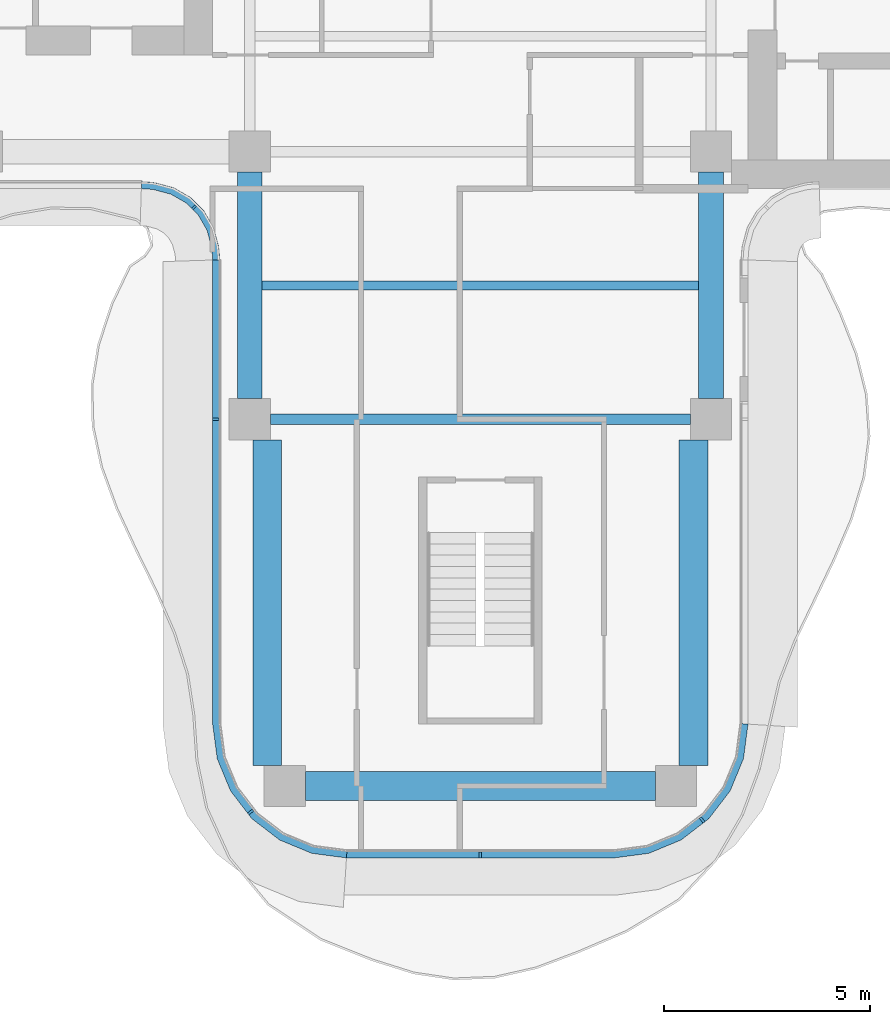
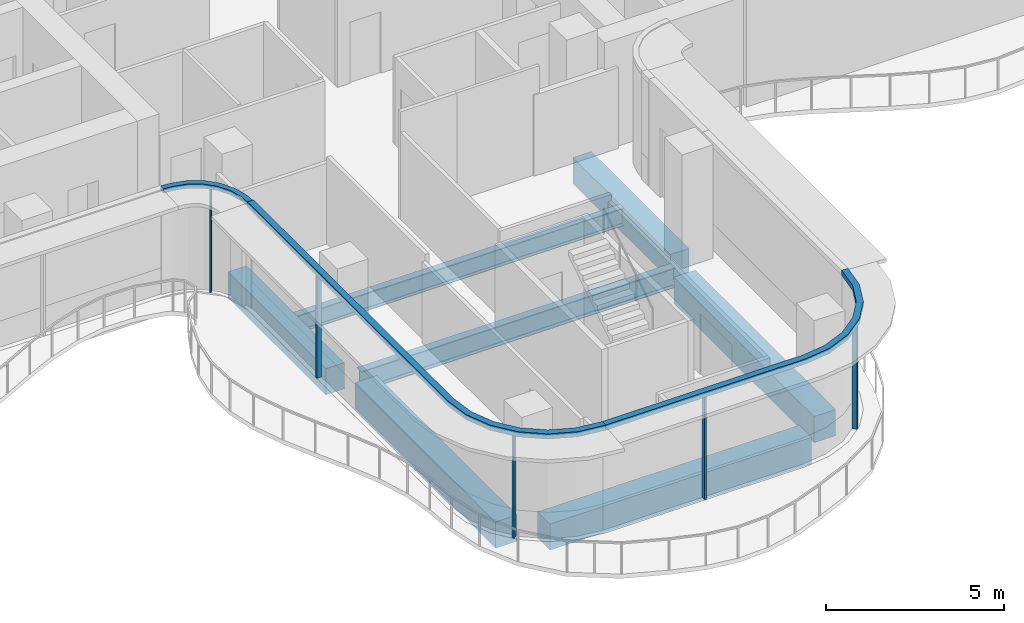
# One storey, part 2 of 16: 8 members, 7 beams, 3 elements without a shape of their own.
"""IFC4 building model written with IfcOpenShell, lengths in metres."""

import ifcopenshell
import ifcopenshell.guid

model = None  # the IFC model being written
_history = None  # IfcOwnerHistory: only IFC2X3 demands one
_inside = {}  # id of a spatial element -> (the spatial element, [elements in it])
_under = {}  # id of a project, library or spatial element -> (it, [spatial elements below it])
_declared = {}  # id of a project -> (the project, [libraries it declares])
_typed = {}  # id of a type object -> (the type object, [elements of that type])
_made_of = {}  # id of a material, layer set ... -> (it, [elements and type objects made of it])


def new_model(schema):
    """Start an empty IFC model of exactly this schema.

    Asked for "IFC4X3", IfcOpenShell would pick the latest addendum, in which some entities
    have other attributes; the version numbers below select the first issue.
    IFC2X3 requires an IfcOwnerHistory on every rooted entity: one is made here for all.
    """
    global model, _history
    if schema == "IFC4X3":
        model = ifcopenshell.file(schema_version=(4, 3, 0, 0))
    else:
        model = ifcopenshell.file(schema=schema)
    _inside.clear()
    _under.clear()
    _declared.clear()
    _typed.clear()
    _made_of.clear()
    _history = None
    if model.schema == "IFC2X3":
        org = make("IfcOrganization", Name="unknown")
        user = make(
            "IfcPersonAndOrganization",
            ThePerson=make("IfcPerson", FamilyName="unknown"),
            TheOrganization=org,
        )
        app = make(
            "IfcApplication",
            ApplicationDeveloper=org,
            Version="unknown",
            ApplicationFullName="unknown",
            ApplicationIdentifier="unknown",
        )
        _history = make(
            "IfcOwnerHistory",
            OwningUser=user,
            OwningApplication=app,
            ChangeAction="ADDED",
            CreationDate=0,
        )
    return model


def make(cls, **values):
    """One entity of the class cls with the attributes given. An attribute that is None is left unset."""
    return model.create_entity(
        cls, **{name: value for name, value in values.items() if value is not None}
    )


def rooted(cls, **values):
    """An entity with a GlobalId (a new one), such as an element, a storey or a relation."""
    return make(cls, GlobalId=ifcopenshell.guid.new(), OwnerHistory=_history, **values)


def si_unit(unit_type, name, prefix=None):
    """IfcSIUnit, for example si_unit("LENGTHUNIT", "METRE", prefix="MILLI")."""
    return make("IfcSIUnit", UnitType=unit_type, Prefix=prefix, Name=name)


def assignment(units):
    """IfcUnitAssignment: the units of a project."""
    return None if units is None else make("IfcUnitAssignment", Units=units)


def point(xyz):
    """IfcCartesianPoint."""
    return None if xyz is None else make("IfcCartesianPoint", Coordinates=xyz)


def direction(xyz):
    """IfcDirection."""
    return None if xyz is None else make("IfcDirection", DirectionRatios=xyz)


def frame(location, z_axis=None, x_axis=None):
    """IfcAxis2Placement3D, a coordinate frame: its origin and axes. An axis left out is left unset."""
    return make(
        "IfcAxis2Placement3D",
        Location=point(location),
        Axis=direction(z_axis),
        RefDirection=direction(x_axis),
    )


def frame_2d(location, x_axis=None):
    """IfcAxis2Placement2D, a coordinate frame in the plane: its origin and x axis."""
    return make(
        "IfcAxis2Placement2D", Location=point(location), RefDirection=direction(x_axis)
    )


def origin():
    """The frame at (0, 0, 0) with its axes left unset."""
    return frame((0.0, 0.0, 0.0))


def origin_2d():
    """The frame at (0, 0) in the plane with its x axis left unset."""
    return frame_2d((0.0, 0.0))


def place(relative_to, where):
    """IfcLocalPlacement: puts the frame where relative to a parent placement (None: the world)."""
    return make(
        "IfcLocalPlacement", PlacementRelTo=relative_to, RelativePlacement=where
    )


def context(
    kind, dimensions, precision=None, world=None, true_north=None, identifier=None
):
    """IfcGeometricRepresentationContext, for example the 3D "Model" context."""
    return make(
        "IfcGeometricRepresentationContext",
        ContextIdentifier=identifier,
        ContextType=kind,
        CoordinateSpaceDimension=dimensions,
        Precision=precision,
        WorldCoordinateSystem=world,
        TrueNorth=true_north,
    )


def subcontext(parent, identifier, kind, view, scale=None):
    """IfcGeometricRepresentationSubContext, for example "Body" below "Model"."""
    return make(
        "IfcGeometricRepresentationSubContext",
        ContextIdentifier=identifier,
        ContextType=kind,
        ParentContext=parent,
        TargetScale=scale,
        TargetView=view,
    )


def project(units=None, contexts=None):
    """IfcProject with its units and contexts."""
    return rooted(
        "IfcProject",
        Name="project",
        RepresentationContexts=contexts,
        UnitsInContext=assignment(units),
    )


def spatial(cls, under=None, at=None, **own):
    """A site, building, storey or space (cls), placed at a placement, below another one or the project."""
    s = rooted(cls, ObjectPlacement=at, **own)
    if under is not None:
        _under.setdefault(under.id(), (under, []))[1].append(s)
    return s


def polyline(points):
    """IfcPolyline through the points."""
    return make("IfcPolyline", Points=[point(p) for p in points])


def profile(cls, at=None, kind="AREA", **sizes):
    """A parametric profile (cls). Its sizes go by their IFC names, for example OverallWidth=200.0."""
    return make(cls, ProfileType=kind, Position=at, **sizes)


def rectangle(**sizes):
    """IfcRectangleProfileDef."""
    return profile("IfcRectangleProfileDef", **sizes)


def i_section(**sizes):
    """IfcIShapeProfileDef."""
    return profile("IfcIShapeProfileDef", **sizes)


def outline(outer, holes=None, kind="AREA"):
    """IfcArbitraryClosedProfileDef: a profile drawn as a closed curve; with holes, ...WithVoids."""
    if holes is None:
        return make("IfcArbitraryClosedProfileDef", ProfileType=kind, OuterCurve=outer)
    return make(
        "IfcArbitraryProfileDefWithVoids",
        ProfileType=kind,
        OuterCurve=outer,
        InnerCurves=holes,
    )


def extrude(swept, where, along, depth):
    """IfcExtrudedAreaSolid: the profile swept, set in the frame where, extruded along a direction by depth."""
    return make(
        "IfcExtrudedAreaSolid",
        SweptArea=swept,
        Position=where,
        ExtrudedDirection=direction(along),
        Depth=depth,
    )


def shape(context_of_items, identifier, shape_type, items):
    """IfcShapeRepresentation: the items that make up one representation, for example the "Body"."""
    return make(
        "IfcShapeRepresentation",
        ContextOfItems=context_of_items,
        RepresentationIdentifier=identifier,
        RepresentationType=shape_type,
        Items=items,
    )


def source(mapping_origin, context_of_items, identifier, shape_type, items):
    """IfcRepresentationMap: a shape defined once, which mapped items show again and again."""
    return make(
        "IfcRepresentationMap",
        MappingOrigin=mapping_origin,
        MappedRepresentation=shape(context_of_items, identifier, shape_type, items),
    )


def transform(
    local_origin,
    x_axis=None,
    y_axis=None,
    z_axis=None,
    scale=None,
    scale2=None,
    scale3=None,
    uniform=True,
):
    """IfcCartesianTransformationOperator3D, or its non-uniform kind. x_axis, y_axis, z_axis: its Axis1, 2, 3."""
    if uniform:
        return make(
            "IfcCartesianTransformationOperator3D",
            Axis1=direction(x_axis),
            Axis2=direction(y_axis),
            LocalOrigin=point(local_origin),
            Scale=scale,
            Axis3=direction(z_axis),
        )
    return make(
        "IfcCartesianTransformationOperator3DnonUniform",
        Axis1=direction(x_axis),
        Axis2=direction(y_axis),
        LocalOrigin=point(local_origin),
        Scale=scale,
        Axis3=direction(z_axis),
        Scale2=scale2,
        Scale3=scale3,
    )


def mapped(mapping_source, mapping_target):
    """IfcMappedItem: shows the shape of a source again, moved by a transform."""
    return make(
        "IfcMappedItem", MappingSource=mapping_source, MappingTarget=mapping_target
    )


def material(Name=None, Category=None):
    """IfcMaterial."""
    return make("IfcMaterial", Name=Name, Category=Category)


def layer(
    of_material, thickness, ventilated=None, Name=None, Category=None, Priority=None
):
    """IfcMaterialLayer: one layer of a wall or slab, of a material (None: an air gap)."""
    return make(
        "IfcMaterialLayer",
        Material=of_material,
        LayerThickness=thickness,
        IsVentilated=ventilated,
        Name=Name,
        Category=Category,
        Priority=Priority,
    )


def layer_set(layers, Name=None):
    """IfcMaterialLayerSet."""
    return make("IfcMaterialLayerSet", MaterialLayers=layers, LayerSetName=Name)


def material_profile(
    of_material, cross_section, Name=None, Category=None, Priority=None
):
    """IfcMaterialProfile: a cross section and its material."""
    return make(
        "IfcMaterialProfile",
        Name=Name,
        Material=of_material,
        Profile=cross_section,
        Priority=Priority,
        Category=Category,
    )


def profile_set(profiles, Name=None, composite=None):
    """IfcMaterialProfileSet."""
    return make(
        "IfcMaterialProfileSet",
        Name=Name,
        MaterialProfiles=profiles,
        CompositeProfile=composite,
    )


def made_of(thing, what):
    """Note that an element or type object is made of a material, layer set ...; save() writes the relation."""
    if what is not None:
        _made_of.setdefault(what.id(), (what, []))[1].append(thing)
    return thing


def type_object(cls, material=None, **own):
    """A type object (cls), such as IfcWallType, which elements share."""
    return made_of(rooted(cls, **own), material)


def element(
    cls,
    number,
    at=None,
    inside=None,
    cuts=None,
    type_object=None,
    material=None,
    context=None,
    identifier="Body",
    shape_type=None,
    held_by="IfcProductDefinitionShape",
    body=None,
    shapes=None,
    **own,
):
    """One element of the class cls, such as IfcWall. Its Tag is "e" and its number.

    at: its placement. inside: the storey or other place that contains it. cuts: it is an
    opening in that element (IfcRelVoidsElement). A single representation is given by context,
    identifier, shape_type and body (its items); several are given by shapes. held_by: the class
    of the entity that holds the representations. save() writes the other relations.
    """
    e = rooted(cls, Tag="e%d" % number, ObjectPlacement=at, **own)
    if body is not None:
        shapes = [shape(context, identifier, shape_type, body)]
    if shapes is not None:
        e.Representation = make(held_by, Representations=shapes)
    if inside is not None:
        _inside.setdefault(inside.id(), (inside, []))[1].append(e)
    if cuts is not None:
        rooted(
            "IfcRelVoidsElement", RelatingBuildingElement=cuts, RelatedOpeningElement=e
        )
    if type_object is not None:
        _typed.setdefault(type_object.id(), (type_object, []))[1].append(e)
    return made_of(e, material)


def aggregate(whole, parts):
    """IfcRelAggregates: a whole, such as a stair, and the parts it consists of."""
    return rooted("IfcRelAggregates", RelatingObject=whole, RelatedObjects=parts)


def save(model, path):
    """Write the relations noted so far, then the file.

    IfcRelAggregates (storeys below a building ...), IfcRelContainedInSpatialStructure (elements
    in a storey), IfcRelDefinesByType, IfcRelAssociatesMaterial and IfcRelDeclares: one each for
    every whole, place, type object, material and project.
    """
    for whole, parts in _under.values():
        aggregate(whole, parts)
    for where, things in _inside.values():
        rooted(
            "IfcRelContainedInSpatialStructure",
            RelatedElements=things,
            RelatingStructure=where,
        )
    for kind, things in _typed.values():
        rooted("IfcRelDefinesByType", RelatedObjects=things, RelatingType=kind)
    for what, things in _made_of.values():
        rooted("IfcRelAssociatesMaterial", RelatedObjects=things, RelatingMaterial=what)
    for by, libraries in _declared.values():
        rooted("IfcRelDeclares", RelatingContext=by, RelatedDefinitions=libraries)
    model.write(path)


model = new_model("IFC4")

# Units and contexts
model_context = context("Model", 3, precision=1e-05, world=origin(), true_north=direction((0.0, 1.0)))
body_context = subcontext(model_context, "Body", "Model", "MODEL_VIEW")
ifc_project = project(units=[si_unit("LENGTHUNIT", "METRE"), si_unit("AREAUNIT", "SQUARE_METRE"), si_unit("VOLUMEUNIT", "CUBIC_METRE"), si_unit("PLANEANGLEUNIT", "RADIAN"), si_unit("MASSUNIT", "GRAM", prefix="KILO")], contexts=[model_context])

# Site, building, storey
site_placement = place(None, origin())
site = spatial("IfcSite", under=ifc_project, at=site_placement, CompositionType="ELEMENT")
building_placement = place(site_placement, origin())
building = spatial("IfcBuilding", under=site, at=building_placement, Name="Trellis Farm Tower", CompositionType="ELEMENT")
storey_placement = place(building_placement, frame((0.0, 0.0, 314.5)))
storey = spatial("IfcBuildingStorey", under=building, at=storey_placement, Name="L71", CompositionType="ELEMENT", Elevation=314.5)

# Beams
ifc_material_1 = material(Name="Steel S355", Category="steel")
ifc_material_profile_1 = material_profile(ifc_material_1, i_section(OverallWidth=0.22900390625, OverallDepth=0.6123046875, WebThickness=0.011962890625, FlangeThickness=0.01953125, FilletRadius=0.0126953125, at=origin_2d()), Name="UB 610x229x125")
ifc_profile_set_1 = profile_set([ifc_material_profile_1], Name="Steel S355")
beam_type_1 = type_object("IfcBeamType", Name="UB 610x229x125 joist", PredefinedType="JOIST", material=ifc_profile_set_1)
shared_shape_1 = source(origin(), body_context, "Body", "SweptSolid", [
    extrude(i_section(OverallWidth=0.22900390625, OverallDepth=0.6123046875, WebThickness=0.011962890625, FlangeThickness=0.01953125, FilletRadius=0.0126953125, at=origin_2d()), origin(), (0.0, 0.0, 1.0), 10.60009765625),
])
beam_1_placement = place(storey_placement, frame((-5.300048828125, -8.85009765625, -0.506103515625), z_axis=(1.0, 0.0, 0.0), x_axis=(0.0, 1.0, 0.0)))
element("IfcBeam", 1, at=beam_1_placement, inside=storey, type_object=beam_type_1, Name="Floor beam", PredefinedType="JOIST", context=body_context, shape_type="MappedRepresentation", body=[
    mapped(shared_shape_1, transform((0.0, 0.0, 0.0))),
])
ifc_material_profile_2 = material_profile(ifc_material_1, i_section(OverallWidth=0.253662109375, OverallDepth=0.68359375, WebThickness=0.012451171875, FlangeThickness=0.021728515625, FilletRadius=0.01513671875, at=origin_2d()), Name="UB 686x254x140")
ifc_profile_set_2 = profile_set([ifc_material_profile_2], Name="Steel S355")
beam_type_2 = type_object("IfcBeamType", Name="UB 686x254x140", PredefinedType="BEAM", material=ifc_profile_set_2)
shared_shape_2 = source(origin(), body_context, "Body", "SweptSolid", [
    extrude(i_section(OverallWidth=0.253662109375, OverallDepth=0.68359375, WebThickness=0.012451171875, FlangeThickness=0.021728515625, FilletRadius=0.01513671875, at=origin_2d()), origin(), (0.0, 0.0, 1.0), 10.2001953125),
])
beam_2_placement = place(storey_placement, frame((-5.10009765625, -12.10009765625, -0.541748046875), z_axis=(1.0, 0.0, 0.0), x_axis=(0.0, 1.0, 0.0)))
element("IfcBeam", 2, at=beam_2_placement, inside=storey, type_object=beam_type_2, Name="Girder", PredefinedType="BEAM", context=body_context, shape_type="MappedRepresentation", body=[
    mapped(shared_shape_2, transform((0.0, 0.0, 0.0))),
])
ifc_material_2 = material(Name="Concrete C60/75", Category="concrete")
ifc_material_profile_3 = material_profile(ifc_material_2, rectangle(XDim=0.60009765625, YDim=0.89990234375, at=origin_2d()), Name="RC spandrel beam 600x900 C60/75")
ifc_profile_set_3 = profile_set([ifc_material_profile_3], Name="Concrete C60/75")
beam_type_3 = type_object("IfcBeamType", Name="RC spandrel beam 600x900 C60/75", PredefinedType="SPANDREL", material=ifc_profile_set_3)
shared_shape_3 = source(origin(), body_context, "Body", "SweptSolid", [
    extrude(rectangle(XDim=0.60009765625, YDim=0.89990234375, at=origin_2d()), origin(), (0.0, 0.0, 1.0), 5.5),
])
for number, where, z_axis, x_axis, name in (
    (3, (-5.60009765625, -11.60009765625, -0.64990234375), (0.0, 1.0, 0.0), (-1.0, 0.0, 0.0), "Girder"),
    (4, (5.60009765625, -11.60009765625, -0.64990234375), (0.0, 1.0, 0.0), (-1.0, 0.0, 0.0), "Girder"),
):
    element("IfcBeam", number, at=place(storey_placement, frame(where, z_axis=z_axis, x_axis=x_axis)), inside=storey, type_object=beam_type_3, Name=name, PredefinedType="SPANDREL", context=body_context, shape_type="MappedRepresentation", body=[
        mapped(shared_shape_3, transform((0.0, 0.0, 0.0))),
    ])
ifc_material_profile_4 = material_profile(ifc_material_2, rectangle(XDim=0.699951171875, YDim=0.89990234375, at=origin_2d()), Name="RC spandrel beam 700x900 C60/75")
ifc_profile_set_4 = profile_set([ifc_material_profile_4], Name="Concrete C60/75")
beam_type_4 = type_object("IfcBeamType", Name="RC spandrel beam 700x900 C60/75", PredefinedType="SPANDREL", material=ifc_profile_set_4)
shared_shape_4 = source(origin(), body_context, "Body", "SweptSolid", [
    extrude(rectangle(XDim=0.699951171875, YDim=0.89990234375, at=origin_2d()), origin(), (0.0, 0.0, 1.0), 8.5),
])
beam_3_placement = place(storey_placement, frame((-4.25, -21.0, -0.64990234375), z_axis=(1.0, 0.0, 0.0), x_axis=(0.0, 1.0, 0.0)))
element("IfcBeam", 5, at=beam_3_placement, inside=storey, type_object=beam_type_4, Name="Girder", PredefinedType="SPANDREL", context=body_context, shape_type="MappedRepresentation", body=[
    mapped(shared_shape_4, transform((0.0, 0.0, 0.0))),
])
shared_shape_5 = source(origin(), body_context, "Body", "SweptSolid", [
    extrude(rectangle(XDim=0.699951171875, YDim=0.89990234375, at=origin_2d()), origin(), (0.0, 0.0, 1.0), 7.89990234375),
])
for number, where, z_axis, x_axis, name in (
    (6, (-5.175048828125, -20.5, -0.64990234375), (0.0, 1.0, 0.0), (-1.0, 0.0, 0.0), "Girder"),
    (7, (5.175048828125, -20.5, -0.64990234375), (0.0, 1.0, 0.0), (-1.0, 0.0, 0.0), "Girder"),
):
    element("IfcBeam", number, at=place(storey_placement, frame(where, z_axis=z_axis, x_axis=x_axis)), inside=storey, type_object=beam_type_4, Name=name, PredefinedType="SPANDREL", context=body_context, shape_type="MappedRepresentation", body=[
        mapped(shared_shape_5, transform((0.0, 0.0, 0.0))),
    ])

# Curtain wall, member
ifc_material_3 = material(Name="Aluminium and glass curtain wall", Category="aluminium")
ifc_layer_1 = layer(ifc_material_3, 0.166015625)
ifc_layer_set_1 = layer_set([ifc_layer_1], Name="WINTER GARDEN CURTAIN WALL CW3")
curtain_wall_type_1 = type_object("IfcCurtainWallType", Name="WINTER GARDEN CURTAIN WALL CW3", PredefinedType="NOTDEFINED", material=ifc_layer_set_1)
placement_1 = place(storey_placement, origin())
curtain_wall_1 = element("IfcCurtainWall", 8, at=placement_1, inside=storey, type_object=curtain_wall_type_1, Name="CW3 001", PredefinedType="NOTDEFINED")
ifc_material_4 = material(Name="Aluminium extrusion 6063-T6", Category="aluminium")
ifc_layer_2 = layer(ifc_material_4, 0.169921875)
ifc_layer_set_2 = layer_set([ifc_layer_2], Name="Aluminium extrusion 6063-T6")
member_type_1 = type_object("IfcMemberType", Name="CW3 TRANSOM 170x150", PredefinedType="USERDEFINED", material=ifc_layer_set_2)
shared_shape_6 = source(origin(), body_context, "Body", "SweptSolid", [
    extrude(outline(polyline([(-8.2314453125, -6.5), (-8.01953125, -6.513916015625), (-7.91552734375, -6.527587890625), (-7.508544921875, -6.63671875), (-7.144287109375, -6.846923828125), (-6.846923828125, -7.144287109375), (-6.63671875, -7.508544921875), (-6.527587890625, -7.91552734375), (-6.513916015625, -8.01953125), (-6.5, -8.2314453125), (-6.330078125, -8.225830078125), (-6.3447265625, -8.0029296875), (-6.360595703125, -7.88232421875), (-6.478271484375, -7.44287109375), (-6.7109375, -7.0400390625), (-7.0400390625, -6.7109375), (-7.44287109375, -6.478271484375), (-7.88232421875, -6.360595703125), (-8.0029296875, -6.3447265625), (-8.225830078125, -6.330078125), (-8.2314453125, -6.5)])), origin(), (0.0, 0.0, 1.0), 0.14990234375),
])
member_1_placement = place(storey_placement, frame((0.0, 0.0, 3.550048828125)))
member_1 = element("IfcMember", 9, at=member_1_placement, type_object=member_type_1, Name="TR3 001", ObjectType="TRANSOM", PredefinedType="USERDEFINED", context=body_context, shape_type="MappedRepresentation", body=[
    mapped(shared_shape_6, transform((0.0, 0.0, 0.0))),
])

# Curtain wall, members
ifc_layer_3 = layer(ifc_material_3, 0.18994140625)
ifc_layer_set_3 = layer_set([ifc_layer_3], Name="RIBBON CURTAIN WALL CW1")
curtain_wall_type_2 = type_object("IfcCurtainWallType", Name="RIBBON CURTAIN WALL CW1", PredefinedType="NOTDEFINED", material=ifc_layer_set_3)
curtain_wall_2 = element("IfcCurtainWall", 10, at=placement_1, inside=storey, type_object=curtain_wall_type_2, Name="CW1 002", PredefinedType="NOTDEFINED")
ifc_material_profile_5 = material_profile(ifc_material_4, rectangle(XDim=0.06005859375, YDim=0.14990234375, at=origin_2d()), Name="MULLION 60x150")
ifc_profile_set_5 = profile_set([ifc_material_profile_5], Name="Aluminium extrusion 6063-T6")
member_type_2 = type_object("IfcMemberType", Name="CW1 MULLION 60x150", PredefinedType="MULLION", material=ifc_profile_set_5)
shared_shape_7 = source(origin(), body_context, "Body", "SweptSolid", [
    extrude(rectangle(XDim=0.06005859375, YDim=0.14990234375, at=origin_2d()), origin(), (0.0, 0.0, 1.0), 3.52001953125),
])
member_2_placement = place(storey_placement, frame((-6.425048828125, -12.10009765625, 0.0), z_axis=(0.0, 0.0, 1.0), x_axis=(0.0, -1.0, 0.0)))
member_2 = element("IfcMember", 11, at=member_2_placement, type_object=member_type_2, Name="MU1 002-01", PredefinedType="MULLION", context=body_context, shape_type="MappedRepresentation", body=[
    mapped(shared_shape_7, transform((0.0, 0.0, 0.0))),
])
member_3_placement = place(storey_placement, frame((-5.578369140625, -21.635498046875, 0.0), z_axis=(0.0, 0.0, 1.0), x_axis=(0.608761429009, -0.793353340291, 0.0)))
member_3 = element("IfcMember", 12, at=member_3_placement, type_object=member_type_2, Name="MU1 002-02", PredefinedType="MULLION", context=body_context, shape_type="MappedRepresentation", body=[
    mapped(shared_shape_7, transform((0.0, 0.0, 0.0))),
])

curtain_wall_3 = element("IfcCurtainWall", 13, at=placement_1, inside=storey, type_object=curtain_wall_type_2, Name="CW1 003", PredefinedType="NOTDEFINED")
member_4_placement = place(storey_placement, frame((0.0, -22.675048828125, 0.0), z_axis=(0.0, 0.0, 1.0), x_axis=(1.0, 0.0, 0.0)))
member_4 = element("IfcMember", 14, at=member_4_placement, type_object=member_type_2, Name="MU1 003-01", PredefinedType="MULLION", context=body_context, shape_type="MappedRepresentation", body=[
    mapped(shared_shape_7, transform((0.0, 0.0, 0.0))),
])
member_5_placement = place(storey_placement, frame((5.385498046875, -21.828369140625, 0.0), z_axis=(0.0, 0.0, 1.0), x_axis=(0.793353340291, 0.608761429009, 0.0)))
member_5 = element("IfcMember", 15, at=member_5_placement, type_object=member_type_2, Name="MU1 003-02", PredefinedType="MULLION", context=body_context, shape_type="MappedRepresentation", body=[
    mapped(shared_shape_7, transform((0.0, 0.0, 0.0))),
])

# Member
ifc_material_profile_6 = material_profile(ifc_material_4, rectangle(XDim=0.050048828125, YDim=0.1201171875, at=origin_2d()), Name="MULLION 50x120")
ifc_profile_set_6 = profile_set([ifc_material_profile_6], Name="Aluminium extrusion 6063-T6")
member_type_3 = type_object("IfcMemberType", Name="CW3 MULLION 50x120", PredefinedType="MULLION", material=ifc_profile_set_6)
shared_shape_8 = source(origin(), body_context, "Body", "SweptSolid", [
    extrude(rectangle(XDim=0.050048828125, YDim=0.1201171875, at=origin_2d()), origin(), (0.0, 0.0, 1.0), 3.550048828125),
])
member_6_placement = place(storey_placement, frame((-6.953125, -6.953125, 0.0), z_axis=(0.0, 0.0, 1.0), x_axis=(0.707106781187, -0.707106781187, 0.0)))
member_6 = element("IfcMember", 16, at=member_6_placement, type_object=member_type_3, Name="MU3 001-01", PredefinedType="MULLION", context=body_context, shape_type="MappedRepresentation", body=[
    mapped(shared_shape_8, transform((0.0, 0.0, 0.0))),
])

aggregate(curtain_wall_1, [member_6, member_1])

ifc_layer_4 = layer(ifc_material_4, 0.199951171875)
ifc_layer_set_4 = layer_set([ifc_layer_4], Name="Aluminium extrusion 6063-T6")
member_type_4 = type_object("IfcMemberType", Name="CW1 TRANSOM 200x180", PredefinedType="USERDEFINED", material=ifc_layer_set_4)
shared_shape_9 = source(origin(), body_context, "Body", "SweptSolid", [
    extrude(outline(polyline([(-6.5, -8.2314453125), (-6.5, -19.5), (-6.38916015625, -20.341064453125), (-6.064697265625, -21.125), (-5.548095703125, -21.798095703125), (-4.875, -22.314697265625), (-4.091064453125, -22.63916015625), (-3.25, -22.75), (-3.23681640625, -22.550048828125), (-4.0390625, -22.4443359375), (-4.774169921875, -22.139892578125), (-5.405517578125, -21.655517578125), (-5.889892578125, -21.024169921875), (-6.1943359375, -20.2890625), (-6.300048828125, -19.48681640625), (-6.300048828125, -8.224853515625), (-6.5, -8.2314453125)])), origin(), (0.0, 0.0, 1.0), 0.179931640625),
])
placement_2 = place(storey_placement, frame((0.0, 0.0, 3.52001953125)))
member_7 = element("IfcMember", 17, at=placement_2, type_object=member_type_4, Name="TR1 002", ObjectType="TRANSOM", PredefinedType="USERDEFINED", context=body_context, shape_type="MappedRepresentation", body=[
    mapped(shared_shape_9, transform((0.0, 0.0, 0.0))),
])

aggregate(curtain_wall_2, [member_2, member_3, member_7])

shared_shape_10 = source(origin(), body_context, "Body", "SweptSolid", [
    extrude(outline(polyline([(-3.25, -22.75), (3.25, -22.75), (4.091064453125, -22.63916015625), (4.875, -22.314697265625), (5.548095703125, -21.798095703125), (6.064697265625, -21.125), (6.38916015625, -20.341064453125), (6.5, -19.5), (6.300048828125, -19.48681640625), (6.1943359375, -20.2890625), (5.889892578125, -21.024169921875), (5.405517578125, -21.655517578125), (4.774169921875, -22.139892578125), (4.0390625, -22.4443359375), (3.23681640625, -22.550048828125), (-3.23681640625, -22.550048828125), (-3.25, -22.75)])), origin(), (0.0, 0.0, 1.0), 0.179931640625),
])
member_8 = element("IfcMember", 18, at=placement_2, type_object=member_type_4, Name="TR1 003", ObjectType="TRANSOM", PredefinedType="USERDEFINED", context=body_context, shape_type="MappedRepresentation", body=[
    mapped(shared_shape_10, transform((0.0, 0.0, 0.0))),
])

aggregate(curtain_wall_3, [member_4, member_5, member_8])

save(model, "model.ifc")
